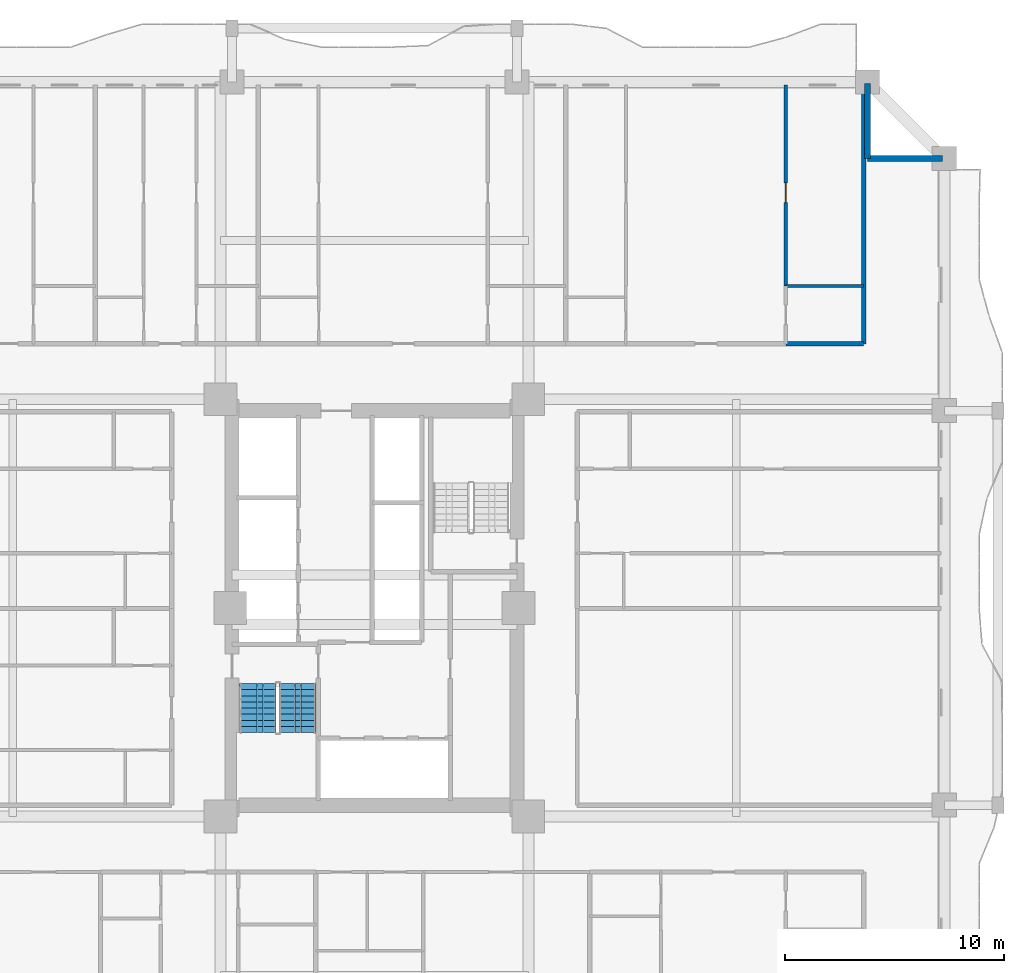
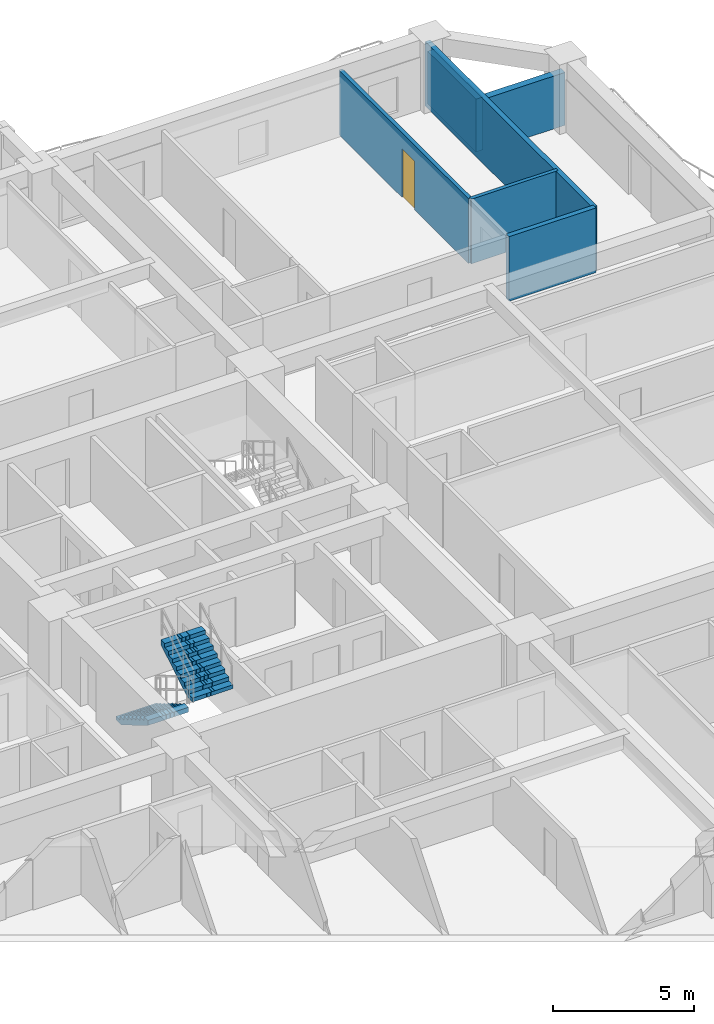
# One storey, part 8 of 15: 6 walls, 2 stair flights, 1 door, 1 opening, 1 element without a shape of its own.
"""IFC4 building model written with IfcOpenShell, lengths in metres."""

import ifcopenshell
import ifcopenshell.guid

model = None  # the IFC model being written
_history = None  # IfcOwnerHistory: only IFC2X3 demands one
_inside = {}  # id of a spatial element -> (the spatial element, [elements in it])
_under = {}  # id of a project, library or spatial element -> (it, [spatial elements below it])
_declared = {}  # id of a project -> (the project, [libraries it declares])
_typed = {}  # id of a type object -> (the type object, [elements of that type])
_made_of = {}  # id of a material, layer set ... -> (it, [elements and type objects made of it])


def new_model(schema):
    """Start an empty IFC model of exactly this schema.

    Asked for "IFC4X3", IfcOpenShell would pick the latest addendum, in which some entities
    have other attributes; the version numbers below select the first issue.
    IFC2X3 requires an IfcOwnerHistory on every rooted entity: one is made here for all.
    """
    global model, _history
    if schema == "IFC4X3":
        model = ifcopenshell.file(schema_version=(4, 3, 0, 0))
    else:
        model = ifcopenshell.file(schema=schema)
    _inside.clear()
    _under.clear()
    _declared.clear()
    _typed.clear()
    _made_of.clear()
    _history = None
    if model.schema == "IFC2X3":
        org = make("IfcOrganization", Name="unknown")
        user = make(
            "IfcPersonAndOrganization",
            ThePerson=make("IfcPerson", FamilyName="unknown"),
            TheOrganization=org,
        )
        app = make(
            "IfcApplication",
            ApplicationDeveloper=org,
            Version="unknown",
            ApplicationFullName="unknown",
            ApplicationIdentifier="unknown",
        )
        _history = make(
            "IfcOwnerHistory",
            OwningUser=user,
            OwningApplication=app,
            ChangeAction="ADDED",
            CreationDate=0,
        )
    return model


def make(cls, **values):
    """One entity of the class cls with the attributes given. An attribute that is None is left unset."""
    return model.create_entity(
        cls, **{name: value for name, value in values.items() if value is not None}
    )


def rooted(cls, **values):
    """An entity with a GlobalId (a new one), such as an element, a storey or a relation."""
    return make(cls, GlobalId=ifcopenshell.guid.new(), OwnerHistory=_history, **values)


def si_unit(unit_type, name, prefix=None):
    """IfcSIUnit, for example si_unit("LENGTHUNIT", "METRE", prefix="MILLI")."""
    return make("IfcSIUnit", UnitType=unit_type, Prefix=prefix, Name=name)


def assignment(units):
    """IfcUnitAssignment: the units of a project."""
    return None if units is None else make("IfcUnitAssignment", Units=units)


def point(xyz):
    """IfcCartesianPoint."""
    return None if xyz is None else make("IfcCartesianPoint", Coordinates=xyz)


def direction(xyz):
    """IfcDirection."""
    return None if xyz is None else make("IfcDirection", DirectionRatios=xyz)


def frame(location, z_axis=None, x_axis=None):
    """IfcAxis2Placement3D, a coordinate frame: its origin and axes. An axis left out is left unset."""
    return make(
        "IfcAxis2Placement3D",
        Location=point(location),
        Axis=direction(z_axis),
        RefDirection=direction(x_axis),
    )


def frame_2d(location, x_axis=None):
    """IfcAxis2Placement2D, a coordinate frame in the plane: its origin and x axis."""
    return make(
        "IfcAxis2Placement2D", Location=point(location), RefDirection=direction(x_axis)
    )


def origin():
    """The frame at (0, 0, 0) with its axes left unset."""
    return frame((0.0, 0.0, 0.0))


def place(relative_to, where):
    """IfcLocalPlacement: puts the frame where relative to a parent placement (None: the world)."""
    return make(
        "IfcLocalPlacement", PlacementRelTo=relative_to, RelativePlacement=where
    )


def context(
    kind, dimensions, precision=None, world=None, true_north=None, identifier=None
):
    """IfcGeometricRepresentationContext, for example the 3D "Model" context."""
    return make(
        "IfcGeometricRepresentationContext",
        ContextIdentifier=identifier,
        ContextType=kind,
        CoordinateSpaceDimension=dimensions,
        Precision=precision,
        WorldCoordinateSystem=world,
        TrueNorth=true_north,
    )


def subcontext(parent, identifier, kind, view, scale=None):
    """IfcGeometricRepresentationSubContext, for example "Body" below "Model"."""
    return make(
        "IfcGeometricRepresentationSubContext",
        ContextIdentifier=identifier,
        ContextType=kind,
        ParentContext=parent,
        TargetScale=scale,
        TargetView=view,
    )


def project(units=None, contexts=None):
    """IfcProject with its units and contexts."""
    return rooted(
        "IfcProject",
        Name="project",
        RepresentationContexts=contexts,
        UnitsInContext=assignment(units),
    )


def spatial(cls, under=None, at=None, **own):
    """A site, building, storey or space (cls), placed at a placement, below another one or the project."""
    s = rooted(cls, ObjectPlacement=at, **own)
    if under is not None:
        _under.setdefault(under.id(), (under, []))[1].append(s)
    return s


def polyline(points):
    """IfcPolyline through the points."""
    return make("IfcPolyline", Points=[point(p) for p in points])


def profile(cls, at=None, kind="AREA", **sizes):
    """A parametric profile (cls). Its sizes go by their IFC names, for example OverallWidth=200.0."""
    return make(cls, ProfileType=kind, Position=at, **sizes)


def rectangle(**sizes):
    """IfcRectangleProfileDef."""
    return profile("IfcRectangleProfileDef", **sizes)


def outline(outer, holes=None, kind="AREA"):
    """IfcArbitraryClosedProfileDef: a profile drawn as a closed curve; with holes, ...WithVoids."""
    if holes is None:
        return make("IfcArbitraryClosedProfileDef", ProfileType=kind, OuterCurve=outer)
    return make(
        "IfcArbitraryProfileDefWithVoids",
        ProfileType=kind,
        OuterCurve=outer,
        InnerCurves=holes,
    )


def extrude(swept, where, along, depth):
    """IfcExtrudedAreaSolid: the profile swept, set in the frame where, extruded along a direction by depth."""
    return make(
        "IfcExtrudedAreaSolid",
        SweptArea=swept,
        Position=where,
        ExtrudedDirection=direction(along),
        Depth=depth,
    )


def shape(context_of_items, identifier, shape_type, items):
    """IfcShapeRepresentation: the items that make up one representation, for example the "Body"."""
    return make(
        "IfcShapeRepresentation",
        ContextOfItems=context_of_items,
        RepresentationIdentifier=identifier,
        RepresentationType=shape_type,
        Items=items,
    )


def source(mapping_origin, context_of_items, identifier, shape_type, items):
    """IfcRepresentationMap: a shape defined once, which mapped items show again and again."""
    return make(
        "IfcRepresentationMap",
        MappingOrigin=mapping_origin,
        MappedRepresentation=shape(context_of_items, identifier, shape_type, items),
    )


def transform(
    local_origin,
    x_axis=None,
    y_axis=None,
    z_axis=None,
    scale=None,
    scale2=None,
    scale3=None,
    uniform=True,
):
    """IfcCartesianTransformationOperator3D, or its non-uniform kind. x_axis, y_axis, z_axis: its Axis1, 2, 3."""
    if uniform:
        return make(
            "IfcCartesianTransformationOperator3D",
            Axis1=direction(x_axis),
            Axis2=direction(y_axis),
            LocalOrigin=point(local_origin),
            Scale=scale,
            Axis3=direction(z_axis),
        )
    return make(
        "IfcCartesianTransformationOperator3DnonUniform",
        Axis1=direction(x_axis),
        Axis2=direction(y_axis),
        LocalOrigin=point(local_origin),
        Scale=scale,
        Axis3=direction(z_axis),
        Scale2=scale2,
        Scale3=scale3,
    )


def mapped(mapping_source, mapping_target):
    """IfcMappedItem: shows the shape of a source again, moved by a transform."""
    return make(
        "IfcMappedItem", MappingSource=mapping_source, MappingTarget=mapping_target
    )


def material(Name=None, Category=None):
    """IfcMaterial."""
    return make("IfcMaterial", Name=Name, Category=Category)


def layer(
    of_material, thickness, ventilated=None, Name=None, Category=None, Priority=None
):
    """IfcMaterialLayer: one layer of a wall or slab, of a material (None: an air gap)."""
    return make(
        "IfcMaterialLayer",
        Material=of_material,
        LayerThickness=thickness,
        IsVentilated=ventilated,
        Name=Name,
        Category=Category,
        Priority=Priority,
    )


def layer_set(layers, Name=None):
    """IfcMaterialLayerSet."""
    return make("IfcMaterialLayerSet", MaterialLayers=layers, LayerSetName=Name)


def made_of(thing, what):
    """Note that an element or type object is made of a material, layer set ...; save() writes the relation."""
    if what is not None:
        _made_of.setdefault(what.id(), (what, []))[1].append(thing)
    return thing


def type_object(cls, material=None, **own):
    """A type object (cls), such as IfcWallType, which elements share."""
    return made_of(rooted(cls, **own), material)


def element(
    cls,
    number,
    at=None,
    inside=None,
    cuts=None,
    type_object=None,
    material=None,
    context=None,
    identifier="Body",
    shape_type=None,
    held_by="IfcProductDefinitionShape",
    body=None,
    shapes=None,
    **own,
):
    """One element of the class cls, such as IfcWall. Its Tag is "e" and its number.

    at: its placement. inside: the storey or other place that contains it. cuts: it is an
    opening in that element (IfcRelVoidsElement). A single representation is given by context,
    identifier, shape_type and body (its items); several are given by shapes. held_by: the class
    of the entity that holds the representations. save() writes the other relations.
    """
    e = rooted(cls, Tag="e%d" % number, ObjectPlacement=at, **own)
    if body is not None:
        shapes = [shape(context, identifier, shape_type, body)]
    if shapes is not None:
        e.Representation = make(held_by, Representations=shapes)
    if inside is not None:
        _inside.setdefault(inside.id(), (inside, []))[1].append(e)
    if cuts is not None:
        rooted(
            "IfcRelVoidsElement", RelatingBuildingElement=cuts, RelatedOpeningElement=e
        )
    if type_object is not None:
        _typed.setdefault(type_object.id(), (type_object, []))[1].append(e)
    return made_of(e, material)


def fill(opening, filler):
    """IfcRelFillsElement: the door or window that sits in an opening."""
    return rooted(
        "IfcRelFillsElement",
        RelatingOpeningElement=opening,
        RelatedBuildingElement=filler,
    )


def aggregate(whole, parts):
    """IfcRelAggregates: a whole, such as a stair, and the parts it consists of."""
    return rooted("IfcRelAggregates", RelatingObject=whole, RelatedObjects=parts)


def save(model, path):
    """Write the relations noted so far, then the file.

    IfcRelAggregates (storeys below a building ...), IfcRelContainedInSpatialStructure (elements
    in a storey), IfcRelDefinesByType, IfcRelAssociatesMaterial and IfcRelDeclares: one each for
    every whole, place, type object, material and project.
    """
    for whole, parts in _under.values():
        aggregate(whole, parts)
    for where, things in _inside.values():
        rooted(
            "IfcRelContainedInSpatialStructure",
            RelatedElements=things,
            RelatingStructure=where,
        )
    for kind, things in _typed.values():
        rooted("IfcRelDefinesByType", RelatedObjects=things, RelatingType=kind)
    for what, things in _made_of.values():
        rooted("IfcRelAssociatesMaterial", RelatedObjects=things, RelatingMaterial=what)
    for by, libraries in _declared.values():
        rooted("IfcRelDeclares", RelatingContext=by, RelatedDefinitions=libraries)
    model.write(path)


model = new_model("IFC4")

# Units and contexts
model_context = context("Model", 3, precision=1e-05, world=origin(), true_north=direction((0.0, 1.0)))
body_context = subcontext(model_context, "Body", "Model", "MODEL_VIEW")
ifc_project = project(units=[si_unit("LENGTHUNIT", "METRE"), si_unit("AREAUNIT", "SQUARE_METRE"), si_unit("VOLUMEUNIT", "CUBIC_METRE"), si_unit("PLANEANGLEUNIT", "RADIAN"), si_unit("MASSUNIT", "GRAM", prefix="KILO")], contexts=[model_context])

# Site, building, storey
site_placement = place(None, origin())
site = spatial("IfcSite", under=ifc_project, at=site_placement, CompositionType="ELEMENT")
building_placement = place(site_placement, origin())
building = spatial("IfcBuilding", under=site, at=building_placement, Name="Saelheon Loggia Tower", CompositionType="ELEMENT")
storey_placement = place(building_placement, frame((0.0, 0.0, 49.39990234375)))
storey = spatial("IfcBuildingStorey", under=building, at=storey_placement, Name="L15", CompositionType="ELEMENT", Elevation=49.39990234375)

# Walls
ifc_material_1 = material(Name="Architectural Precast Concrete C40/50", Category="concrete")
ifc_layer_1 = layer(ifc_material_1, 0.280029296875)
ifc_layer_set_1 = layer_set([ifc_layer_1], Name="Architectural Precast Concrete C40/50")
wall_type_1 = type_object("IfcWallType", Name="Wall_Ext_Loggia_280", PredefinedType="SOLIDWALL", material=ifc_layer_set_1)
for number, where, z_axis, x_axis, name in (
    (1, (60.5, 47.5, 0.0), (0.0, 0.0, 1.0), (0.0, 1.0, 0.0), "L15 Corner Notch Precast Wall NE1"),
    (2, (60.5, 47.5, 0.0), (0.0, 0.0, 1.0), (1.0, 0.0, 0.0), "L15 Corner Notch Precast Wall NE2"),
):
    element("IfcWall", number, at=place(storey_placement, frame(where, z_axis=z_axis, x_axis=x_axis)), inside=storey, type_object=wall_type_1, Name=name, PredefinedType="SOLIDWALL", context=body_context, shape_type="SweptSolid", body=[
        extrude(rectangle(XDim=3.419921875, YDim=0.280029296875, at=frame_2d((1.7099609375, 0.0))), origin(), (0.0, 0.0, 1.0), 2.280029296875),
    ])
ifc_material_2 = material(Name="Lightweight Autoclaved Aerated Concrete Block and Acoustic Gypsum", Category="concrete")
ifc_layer_2 = layer(ifc_material_2, 0.14990234375)
ifc_layer_set_2 = layer_set([ifc_layer_2], Name="Lightweight Autoclaved Aerated Concrete Block and Acoustic Gypsum")
wall_type_2 = type_object("IfcWallType", Name="Wall_Part_150", PredefinedType="PARTITIONING", material=ifc_layer_set_2)
wall_1_placement = place(storey_placement, frame((56.77197265625, 41.68994140625, 0.0), z_axis=(0.0, 0.0, 1.0), x_axis=(1.0, 0.0, 0.0)))
element("IfcWall", 3, at=wall_1_placement, inside=storey, type_object=wall_type_2, Name="L15 N Partition V42", PredefinedType="PARTITIONING", context=body_context, shape_type="SweptSolid", body=[
    extrude(rectangle(XDim=3.548095703125, YDim=0.14990234375, at=frame_2d((1.77392578125, 0.0))), origin(), (0.0, 0.0, 1.0), 2.7900390625),
])

# Wall, opening, door
wall_2_placement = place(storey_placement, frame((56.77197265625, 41.68994140625, 0.0), z_axis=(0.0, 0.0, 1.0), x_axis=(0.0, 1.0, 0.0)))
wall_2 = element("IfcWall", 4, at=wall_2_placement, inside=storey, type_object=wall_type_2, Name="L15 N Partition U47", PredefinedType="PARTITIONING", context=body_context, shape_type="SweptSolid", body=[
    extrude(rectangle(XDim=9.16015625, YDim=0.14990234375, at=frame_2d((4.580078125, 0.0))), origin(), (0.0, 0.0, 1.0), 2.7900390625),
])
opening_placement = place(wall_2_placement, frame((3.805908203125, 0.0, 0.0)))
opening = element("IfcOpeningElement", 5, at=opening_placement, cuts=wall_2, Name="Opening D-IN2", PredefinedType="OPENING", context=body_context, shape_type="SweptSolid", body=[
    extrude(rectangle(XDim=0.89990234375, YDim=2.10009765625, at=frame_2d((0.449951171875, 1.050048828125))), frame((0.0, 0.0869140625, 0.0), z_axis=(0.0, -1.0, 0.0), x_axis=(1.0, 0.0, 0.0)), (0.0, 0.0, 1.0), 0.173828125),
])
ifc_material_3 = material(Name="Engineered Oak Flush Door", Category="timber")
door_type = type_object("IfcDoorType", Name="Door_Int_900", OperationType="NOTDEFINED", PredefinedType="DOOR", material=ifc_material_3)
shared_shape = source(origin(), body_context, "Body", "SweptSolid", [
    extrude(rectangle(XDim=0.89990234375, YDim=2.10009765625, at=frame_2d((0.449951171875, 1.050048828125))), frame((0.0, 0.02490234375, 0.0), z_axis=(0.0, -1.0, 0.0), x_axis=(1.0, 0.0, 0.0)), (0.0, 0.0, 1.0), 0.050048828125),
])
door_placement = place(opening_placement, origin())
door = element("IfcDoor", 6, at=door_placement, inside=storey, type_object=door_type, Name="Unit U06 Bedroom 1 Door", OperationType="SINGLE_SWING_LEFT", OverallHeight=2.10009765625, OverallWidth=0.89990234375, PredefinedType="DOOR", context=body_context, shape_type="MappedRepresentation", body=[
    mapped(shared_shape, transform((0.0, 0.0, 0.0), scale=1.0)),
])
fill(opening, door)

# Walls
ifc_material_4 = material(Name="Double Acoustic Stud and Fireboard Partition", Category="gypsum")
ifc_layer_3 = layer(ifc_material_4, 0.199951171875)
ifc_layer_set_3 = layer_set([ifc_layer_3], Name="Double Acoustic Stud and Fireboard Partition")
wall_type_3 = type_object("IfcWallType", Name="Wall_Party_200", PredefinedType="PARTITIONING", material=ifc_layer_set_3)
wall_3_placement = place(storey_placement, frame((60.320068359375, 39.050048828125, 0.0), z_axis=(0.0, 0.0, 1.0), x_axis=(0.0, 1.0, 0.0)))
element("IfcWall", 7, at=wall_3_placement, inside=storey, type_object=wall_type_3, Name="L15 N Partition U02", PredefinedType="PARTITIONING", context=body_context, shape_type="SweptSolid", body=[
    extrude(rectangle(XDim=11.800048828125, YDim=0.199951171875, at=frame_2d((5.89990234375, 0.0))), origin(), (0.0, 0.0, 1.0), 2.7900390625),
])
wall_4_placement = place(storey_placement, frame((56.77197265625, 39.050048828125, 0.0), z_axis=(0.0, 0.0, 1.0), x_axis=(1.0, 0.0, 0.0)))
element("IfcWall", 8, at=wall_4_placement, inside=storey, type_object=wall_type_3, Name="L15 N Partition V40", PredefinedType="PARTITIONING", context=body_context, shape_type="SweptSolid", body=[
    extrude(rectangle(XDim=3.548095703125, YDim=0.199951171875, at=frame_2d((1.77392578125, 0.0))), origin(), (0.0, 0.0, 1.0), 2.7900390625),
])

# Stair, stair flights
ifc_material_5 = material(Name="Concrete C40/50", Category="concrete")
stair_type = type_object("IfcStairType", Name="Stair_Escape_Core", PredefinedType="HALF_TURN_STAIR", material=ifc_material_5)
stair_placement = place(storey_placement, origin())
stair = element("IfcStair", 9, at=stair_placement, inside=storey, type_object=stair_type, Name="L15 Special Escape Stair ST1", PredefinedType="HALF_TURN_STAIR")
stair_flight_type = type_object("IfcStairFlightType", Name="StairFlight_Tower_1660", PredefinedType="STRAIGHT", material=ifc_material_5)
stair_flight_1_placement = place(storey_placement, frame((32.679931640625, 23.550048828125, 0.0), z_axis=(0.0, 0.0, 1.0), x_axis=(0.0, -1.0, 0.0)))
stair_flight_1 = element("IfcStairFlight", 10, at=stair_flight_1_placement, type_object=stair_flight_type, Name="ST1 flight 1", NumberOfRisers=9, NumberOfTreads=8, PredefinedType="STRAIGHT", RiserHeight=0.166666667, TreadLength=0.28, context=body_context, shape_type="SweptSolid", body=[
    extrude(outline(polyline([(0.0, 0.0), (0.0, 0.166748046875), (0.280029296875, 0.166748046875), (0.280029296875, 0.333251953125), (0.56005859375, 0.333251953125), (0.56005859375, 0.5), (0.840087890625, 0.5), (0.840087890625, 0.666748046875), (1.1201171875, 0.666748046875), (1.1201171875, 0.833251953125), (1.39990234375, 0.833251953125), (1.39990234375, 1.0), (1.679931640625, 1.0), (1.679931640625, 1.166748046875), (1.9599609375, 1.166748046875), (1.9599609375, 1.333251953125), (2.239990234375, 1.333251953125), (2.239990234375, 1.5), (2.239990234375, 1.1240234375), (0.351806640625, 0.0), (0.0, 0.0)])), frame((0.0, -0.2490234375, 0.0), z_axis=(0.0, -1.0, 0.0), x_axis=(1.0, 0.0, 0.0)), (0.0, 0.0, 1.0), 0.5810546875),
    extrude(outline(polyline([(0.0, 0.0), (0.0, 0.166748046875), (0.280029296875, 0.166748046875), (0.280029296875, 0.333251953125), (0.56005859375, 0.333251953125), (0.56005859375, 0.5), (0.840087890625, 0.5), (0.840087890625, 0.666748046875), (1.1201171875, 0.666748046875), (1.1201171875, 0.833251953125), (1.39990234375, 0.833251953125), (1.39990234375, 1.0), (1.679931640625, 1.0), (1.679931640625, 1.166748046875), (1.9599609375, 1.166748046875), (1.9599609375, 1.333251953125), (2.239990234375, 1.333251953125), (2.239990234375, 1.5), (2.239990234375, 1.1240234375), (0.351806640625, 0.0), (0.0, 0.0)])), frame((0.0, -0.194091796875, 0.0), z_axis=(0.0, -1.0, 0.0), x_axis=(1.0, 0.0, 0.0)), (0.0, 0.0, 1.0), 0.0498046875),
    extrude(outline(polyline([(0.0, 0.0), (0.0, 0.166748046875), (0.280029296875, 0.166748046875), (0.280029296875, 0.333251953125), (0.56005859375, 0.333251953125), (0.56005859375, 0.5), (0.840087890625, 0.5), (0.840087890625, 0.666748046875), (1.1201171875, 0.666748046875), (1.1201171875, 0.833251953125), (1.39990234375, 0.833251953125), (1.39990234375, 1.0), (1.679931640625, 1.0), (1.679931640625, 1.166748046875), (1.9599609375, 1.166748046875), (1.9599609375, 1.333251953125), (2.239990234375, 1.333251953125), (2.239990234375, 1.5), (2.239990234375, 1.1240234375), (0.351806640625, 0.0), (0.0, 0.0)])), frame((0.0, -0.139404296875, 0.0), z_axis=(0.0, -1.0, 0.0), x_axis=(1.0, 0.0, 0.0)), (0.0, 0.0, 1.0), 0.0498046875),
    extrude(outline(polyline([(0.0, 0.0), (0.0, 0.166748046875), (0.280029296875, 0.166748046875), (0.280029296875, 0.333251953125), (0.56005859375, 0.333251953125), (0.56005859375, 0.5), (0.840087890625, 0.5), (0.840087890625, 0.666748046875), (1.1201171875, 0.666748046875), (1.1201171875, 0.833251953125), (1.39990234375, 0.833251953125), (1.39990234375, 1.0), (1.679931640625, 1.0), (1.679931640625, 1.166748046875), (1.9599609375, 1.166748046875), (1.9599609375, 1.333251953125), (2.239990234375, 1.333251953125), (2.239990234375, 1.5), (2.239990234375, 1.1240234375), (0.351806640625, 0.0), (0.0, 0.0)])), frame((0.0, -0.084716796875, 0.0), z_axis=(0.0, -1.0, 0.0), x_axis=(1.0, 0.0, 0.0)), (0.0, 0.0, 1.0), 0.0498046875),
    extrude(outline(polyline([(0.0, 0.0), (0.0, 0.166748046875), (0.280029296875, 0.166748046875), (0.280029296875, 0.333251953125), (0.56005859375, 0.333251953125), (0.56005859375, 0.5), (0.840087890625, 0.5), (0.840087890625, 0.666748046875), (1.1201171875, 0.666748046875), (1.1201171875, 0.833251953125), (1.39990234375, 0.833251953125), (1.39990234375, 1.0), (1.679931640625, 1.0), (1.679931640625, 1.166748046875), (1.9599609375, 1.166748046875), (1.9599609375, 1.333251953125), (2.239990234375, 1.333251953125), (2.239990234375, 1.5), (2.239990234375, 1.1240234375), (0.351806640625, 0.0), (0.0, 0.0)])), frame((0.0, -0.02978515625, 0.0), z_axis=(0.0, -1.0, 0.0), x_axis=(1.0, 0.0, 0.0)), (0.0, 0.0, 1.0), 0.0498046875),
    extrude(outline(polyline([(0.0, 0.0), (0.0, 0.166748046875), (0.280029296875, 0.166748046875), (0.280029296875, 0.333251953125), (0.56005859375, 0.333251953125), (0.56005859375, 0.5), (0.840087890625, 0.5), (0.840087890625, 0.666748046875), (1.1201171875, 0.666748046875), (1.1201171875, 0.833251953125), (1.39990234375, 0.833251953125), (1.39990234375, 1.0), (1.679931640625, 1.0), (1.679931640625, 1.166748046875), (1.9599609375, 1.166748046875), (1.9599609375, 1.333251953125), (2.239990234375, 1.333251953125), (2.239990234375, 1.5), (2.239990234375, 1.1240234375), (0.351806640625, 0.0), (0.0, 0.0)])), frame((0.0, 0.02490234375, 0.0), z_axis=(0.0, -1.0, 0.0), x_axis=(1.0, 0.0, 0.0)), (0.0, 0.0, 1.0), 0.0498046875),
    extrude(outline(polyline([(0.0, 0.0), (0.0, 0.166748046875), (0.280029296875, 0.166748046875), (0.280029296875, 0.333251953125), (0.56005859375, 0.333251953125), (0.56005859375, 0.5), (0.840087890625, 0.5), (0.840087890625, 0.666748046875), (1.1201171875, 0.666748046875), (1.1201171875, 0.833251953125), (1.39990234375, 0.833251953125), (1.39990234375, 1.0), (1.679931640625, 1.0), (1.679931640625, 1.166748046875), (1.9599609375, 1.166748046875), (1.9599609375, 1.333251953125), (2.239990234375, 1.333251953125), (2.239990234375, 1.5), (2.239990234375, 1.1240234375), (0.351806640625, 0.0), (0.0, 0.0)])), frame((0.0, 0.07958984375, 0.0), z_axis=(0.0, -1.0, 0.0), x_axis=(1.0, 0.0, 0.0)), (0.0, 0.0, 1.0), 0.0498046875),
    extrude(outline(polyline([(0.0, 0.0), (0.0, 0.166748046875), (0.280029296875, 0.166748046875), (0.280029296875, 0.333251953125), (0.56005859375, 0.333251953125), (0.56005859375, 0.5), (0.840087890625, 0.5), (0.840087890625, 0.666748046875), (1.1201171875, 0.666748046875), (1.1201171875, 0.833251953125), (1.39990234375, 0.833251953125), (1.39990234375, 1.0), (1.679931640625, 1.0), (1.679931640625, 1.166748046875), (1.9599609375, 1.166748046875), (1.9599609375, 1.333251953125), (2.239990234375, 1.333251953125), (2.239990234375, 1.5), (2.239990234375, 1.1240234375), (0.351806640625, 0.0), (0.0, 0.0)])), frame((0.0, 0.134521484375, 0.0), z_axis=(0.0, -1.0, 0.0), x_axis=(1.0, 0.0, 0.0)), (0.0, 0.0, 1.0), 0.0498046875),
    extrude(outline(polyline([(0.0, 0.0), (0.0, 0.166748046875), (0.280029296875, 0.166748046875), (0.280029296875, 0.333251953125), (0.56005859375, 0.333251953125), (0.56005859375, 0.5), (0.840087890625, 0.5), (0.840087890625, 0.666748046875), (1.1201171875, 0.666748046875), (1.1201171875, 0.833251953125), (1.39990234375, 0.833251953125), (1.39990234375, 1.0), (1.679931640625, 1.0), (1.679931640625, 1.166748046875), (1.9599609375, 1.166748046875), (1.9599609375, 1.333251953125), (2.239990234375, 1.333251953125), (2.239990234375, 1.5), (2.239990234375, 1.1240234375), (0.351806640625, 0.0), (0.0, 0.0)])), frame((0.0, 0.189208984375, 0.0), z_axis=(0.0, -1.0, 0.0), x_axis=(1.0, 0.0, 0.0)), (0.0, 0.0, 1.0), 0.0498046875),
    extrude(outline(polyline([(0.0, 0.0), (0.0, 0.166748046875), (0.280029296875, 0.166748046875), (0.280029296875, 0.333251953125), (0.56005859375, 0.333251953125), (0.56005859375, 0.5), (0.840087890625, 0.5), (0.840087890625, 0.666748046875), (1.1201171875, 0.666748046875), (1.1201171875, 0.833251953125), (1.39990234375, 0.833251953125), (1.39990234375, 1.0), (1.679931640625, 1.0), (1.679931640625, 1.166748046875), (1.9599609375, 1.166748046875), (1.9599609375, 1.333251953125), (2.239990234375, 1.333251953125), (2.239990234375, 1.5), (2.239990234375, 1.1240234375), (0.351806640625, 0.0), (0.0, 0.0)])), frame((0.0, 0.243896484375, 0.0), z_axis=(0.0, -1.0, 0.0), x_axis=(1.0, 0.0, 0.0)), (0.0, 0.0, 1.0), 0.0498046875),
    extrude(outline(polyline([(0.0, 0.0), (0.0, 0.166748046875), (0.280029296875, 0.166748046875), (0.280029296875, 0.333251953125), (0.56005859375, 0.333251953125), (0.56005859375, 0.5), (0.840087890625, 0.5), (0.840087890625, 0.666748046875), (1.1201171875, 0.666748046875), (1.1201171875, 0.833251953125), (1.39990234375, 0.833251953125), (1.39990234375, 1.0), (1.679931640625, 1.0), (1.679931640625, 1.166748046875), (1.9599609375, 1.166748046875), (1.9599609375, 1.333251953125), (2.239990234375, 1.333251953125), (2.239990234375, 1.5), (2.239990234375, 1.1240234375), (0.351806640625, 0.0), (0.0, 0.0)])), frame((0.0, 0.830078125, 0.0), z_axis=(0.0, -1.0, 0.0), x_axis=(1.0, 0.0, 0.0)), (0.0, 0.0, 1.0), 0.5810546875),
])
stair_flight_2_placement = place(storey_placement, frame((34.5, 21.31005859375, 1.5), z_axis=(0.0, 0.0, 1.0), x_axis=(0.0, 1.0, 0.0)))
stair_flight_2 = element("IfcStairFlight", 11, at=stair_flight_2_placement, type_object=stair_flight_type, Name="ST1 flight 2", NumberOfRisers=9, NumberOfTreads=8, PredefinedType="STRAIGHT", RiserHeight=0.166666667, TreadLength=0.28, context=body_context, shape_type="SweptSolid", body=[
    extrude(outline(polyline([(0.0, 0.0), (0.0, 0.166748046875), (0.280029296875, 0.166748046875), (0.280029296875, 0.333251953125), (0.56005859375, 0.333251953125), (0.56005859375, 0.5), (0.840087890625, 0.5), (0.840087890625, 0.666748046875), (1.1201171875, 0.666748046875), (1.1201171875, 0.833251953125), (1.39990234375, 0.833251953125), (1.39990234375, 1.0), (1.679931640625, 1.0), (1.679931640625, 1.166748046875), (1.9599609375, 1.166748046875), (1.9599609375, 1.333251953125), (2.239990234375, 1.333251953125), (2.239990234375, 1.5), (2.239990234375, 1.1240234375), (0.351806640625, 0.0), (0.0, 0.0)])), frame((0.0, -0.2490234375, 0.0), z_axis=(0.0, -1.0, 0.0), x_axis=(1.0, 0.0, 0.0)), (0.0, 0.0, 1.0), 0.5810546875),
    extrude(outline(polyline([(0.0, 0.0), (0.0, 0.166748046875), (0.280029296875, 0.166748046875), (0.280029296875, 0.333251953125), (0.56005859375, 0.333251953125), (0.56005859375, 0.5), (0.840087890625, 0.5), (0.840087890625, 0.666748046875), (1.1201171875, 0.666748046875), (1.1201171875, 0.833251953125), (1.39990234375, 0.833251953125), (1.39990234375, 1.0), (1.679931640625, 1.0), (1.679931640625, 1.166748046875), (1.9599609375, 1.166748046875), (1.9599609375, 1.333251953125), (2.239990234375, 1.333251953125), (2.239990234375, 1.5), (2.239990234375, 1.1240234375), (0.351806640625, 0.0), (0.0, 0.0)])), frame((0.0, -0.194091796875, 0.0), z_axis=(0.0, -1.0, 0.0), x_axis=(1.0, 0.0, 0.0)), (0.0, 0.0, 1.0), 0.0498046875),
    extrude(outline(polyline([(0.0, 0.0), (0.0, 0.166748046875), (0.280029296875, 0.166748046875), (0.280029296875, 0.333251953125), (0.56005859375, 0.333251953125), (0.56005859375, 0.5), (0.840087890625, 0.5), (0.840087890625, 0.666748046875), (1.1201171875, 0.666748046875), (1.1201171875, 0.833251953125), (1.39990234375, 0.833251953125), (1.39990234375, 1.0), (1.679931640625, 1.0), (1.679931640625, 1.166748046875), (1.9599609375, 1.166748046875), (1.9599609375, 1.333251953125), (2.239990234375, 1.333251953125), (2.239990234375, 1.5), (2.239990234375, 1.1240234375), (0.351806640625, 0.0), (0.0, 0.0)])), frame((0.0, -0.139404296875, 0.0), z_axis=(0.0, -1.0, 0.0), x_axis=(1.0, 0.0, 0.0)), (0.0, 0.0, 1.0), 0.0498046875),
    extrude(outline(polyline([(0.0, 0.0), (0.0, 0.166748046875), (0.280029296875, 0.166748046875), (0.280029296875, 0.333251953125), (0.56005859375, 0.333251953125), (0.56005859375, 0.5), (0.840087890625, 0.5), (0.840087890625, 0.666748046875), (1.1201171875, 0.666748046875), (1.1201171875, 0.833251953125), (1.39990234375, 0.833251953125), (1.39990234375, 1.0), (1.679931640625, 1.0), (1.679931640625, 1.166748046875), (1.9599609375, 1.166748046875), (1.9599609375, 1.333251953125), (2.239990234375, 1.333251953125), (2.239990234375, 1.5), (2.239990234375, 1.1240234375), (0.351806640625, 0.0), (0.0, 0.0)])), frame((0.0, -0.084716796875, 0.0), z_axis=(0.0, -1.0, 0.0), x_axis=(1.0, 0.0, 0.0)), (0.0, 0.0, 1.0), 0.0498046875),
    extrude(outline(polyline([(0.0, 0.0), (0.0, 0.166748046875), (0.280029296875, 0.166748046875), (0.280029296875, 0.333251953125), (0.56005859375, 0.333251953125), (0.56005859375, 0.5), (0.840087890625, 0.5), (0.840087890625, 0.666748046875), (1.1201171875, 0.666748046875), (1.1201171875, 0.833251953125), (1.39990234375, 0.833251953125), (1.39990234375, 1.0), (1.679931640625, 1.0), (1.679931640625, 1.166748046875), (1.9599609375, 1.166748046875), (1.9599609375, 1.333251953125), (2.239990234375, 1.333251953125), (2.239990234375, 1.5), (2.239990234375, 1.1240234375), (0.351806640625, 0.0), (0.0, 0.0)])), frame((0.0, -0.02978515625, 0.0), z_axis=(0.0, -1.0, 0.0), x_axis=(1.0, 0.0, 0.0)), (0.0, 0.0, 1.0), 0.0498046875),
    extrude(outline(polyline([(0.0, 0.0), (0.0, 0.166748046875), (0.280029296875, 0.166748046875), (0.280029296875, 0.333251953125), (0.56005859375, 0.333251953125), (0.56005859375, 0.5), (0.840087890625, 0.5), (0.840087890625, 0.666748046875), (1.1201171875, 0.666748046875), (1.1201171875, 0.833251953125), (1.39990234375, 0.833251953125), (1.39990234375, 1.0), (1.679931640625, 1.0), (1.679931640625, 1.166748046875), (1.9599609375, 1.166748046875), (1.9599609375, 1.333251953125), (2.239990234375, 1.333251953125), (2.239990234375, 1.5), (2.239990234375, 1.1240234375), (0.351806640625, 0.0), (0.0, 0.0)])), frame((0.0, 0.02490234375, 0.0), z_axis=(0.0, -1.0, 0.0), x_axis=(1.0, 0.0, 0.0)), (0.0, 0.0, 1.0), 0.0498046875),
    extrude(outline(polyline([(0.0, 0.0), (0.0, 0.166748046875), (0.280029296875, 0.166748046875), (0.280029296875, 0.333251953125), (0.56005859375, 0.333251953125), (0.56005859375, 0.5), (0.840087890625, 0.5), (0.840087890625, 0.666748046875), (1.1201171875, 0.666748046875), (1.1201171875, 0.833251953125), (1.39990234375, 0.833251953125), (1.39990234375, 1.0), (1.679931640625, 1.0), (1.679931640625, 1.166748046875), (1.9599609375, 1.166748046875), (1.9599609375, 1.333251953125), (2.239990234375, 1.333251953125), (2.239990234375, 1.5), (2.239990234375, 1.1240234375), (0.351806640625, 0.0), (0.0, 0.0)])), frame((0.0, 0.07958984375, 0.0), z_axis=(0.0, -1.0, 0.0), x_axis=(1.0, 0.0, 0.0)), (0.0, 0.0, 1.0), 0.0498046875),
    extrude(outline(polyline([(0.0, 0.0), (0.0, 0.166748046875), (0.280029296875, 0.166748046875), (0.280029296875, 0.333251953125), (0.56005859375, 0.333251953125), (0.56005859375, 0.5), (0.840087890625, 0.5), (0.840087890625, 0.666748046875), (1.1201171875, 0.666748046875), (1.1201171875, 0.833251953125), (1.39990234375, 0.833251953125), (1.39990234375, 1.0), (1.679931640625, 1.0), (1.679931640625, 1.166748046875), (1.9599609375, 1.166748046875), (1.9599609375, 1.333251953125), (2.239990234375, 1.333251953125), (2.239990234375, 1.5), (2.239990234375, 1.1240234375), (0.351806640625, 0.0), (0.0, 0.0)])), frame((0.0, 0.134521484375, 0.0), z_axis=(0.0, -1.0, 0.0), x_axis=(1.0, 0.0, 0.0)), (0.0, 0.0, 1.0), 0.0498046875),
    extrude(outline(polyline([(0.0, 0.0), (0.0, 0.166748046875), (0.280029296875, 0.166748046875), (0.280029296875, 0.333251953125), (0.56005859375, 0.333251953125), (0.56005859375, 0.5), (0.840087890625, 0.5), (0.840087890625, 0.666748046875), (1.1201171875, 0.666748046875), (1.1201171875, 0.833251953125), (1.39990234375, 0.833251953125), (1.39990234375, 1.0), (1.679931640625, 1.0), (1.679931640625, 1.166748046875), (1.9599609375, 1.166748046875), (1.9599609375, 1.333251953125), (2.239990234375, 1.333251953125), (2.239990234375, 1.5), (2.239990234375, 1.1240234375), (0.351806640625, 0.0), (0.0, 0.0)])), frame((0.0, 0.189208984375, 0.0), z_axis=(0.0, -1.0, 0.0), x_axis=(1.0, 0.0, 0.0)), (0.0, 0.0, 1.0), 0.0498046875),
    extrude(outline(polyline([(0.0, 0.0), (0.0, 0.166748046875), (0.280029296875, 0.166748046875), (0.280029296875, 0.333251953125), (0.56005859375, 0.333251953125), (0.56005859375, 0.5), (0.840087890625, 0.5), (0.840087890625, 0.666748046875), (1.1201171875, 0.666748046875), (1.1201171875, 0.833251953125), (1.39990234375, 0.833251953125), (1.39990234375, 1.0), (1.679931640625, 1.0), (1.679931640625, 1.166748046875), (1.9599609375, 1.166748046875), (1.9599609375, 1.333251953125), (2.239990234375, 1.333251953125), (2.239990234375, 1.5), (2.239990234375, 1.1240234375), (0.351806640625, 0.0), (0.0, 0.0)])), frame((0.0, 0.243896484375, 0.0), z_axis=(0.0, -1.0, 0.0), x_axis=(1.0, 0.0, 0.0)), (0.0, 0.0, 1.0), 0.0498046875),
    extrude(outline(polyline([(0.0, 0.0), (0.0, 0.166748046875), (0.280029296875, 0.166748046875), (0.280029296875, 0.333251953125), (0.56005859375, 0.333251953125), (0.56005859375, 0.5), (0.840087890625, 0.5), (0.840087890625, 0.666748046875), (1.1201171875, 0.666748046875), (1.1201171875, 0.833251953125), (1.39990234375, 0.833251953125), (1.39990234375, 1.0), (1.679931640625, 1.0), (1.679931640625, 1.166748046875), (1.9599609375, 1.166748046875), (1.9599609375, 1.333251953125), (2.239990234375, 1.333251953125), (2.239990234375, 1.5), (2.239990234375, 1.1240234375), (0.351806640625, 0.0), (0.0, 0.0)])), frame((0.0, 0.830078125, 0.0), z_axis=(0.0, -1.0, 0.0), x_axis=(1.0, 0.0, 0.0)), (0.0, 0.0, 1.0), 0.5810546875),
])
aggregate(stair, [stair_flight_1, stair_flight_2])

save(model, "model.ifc")
